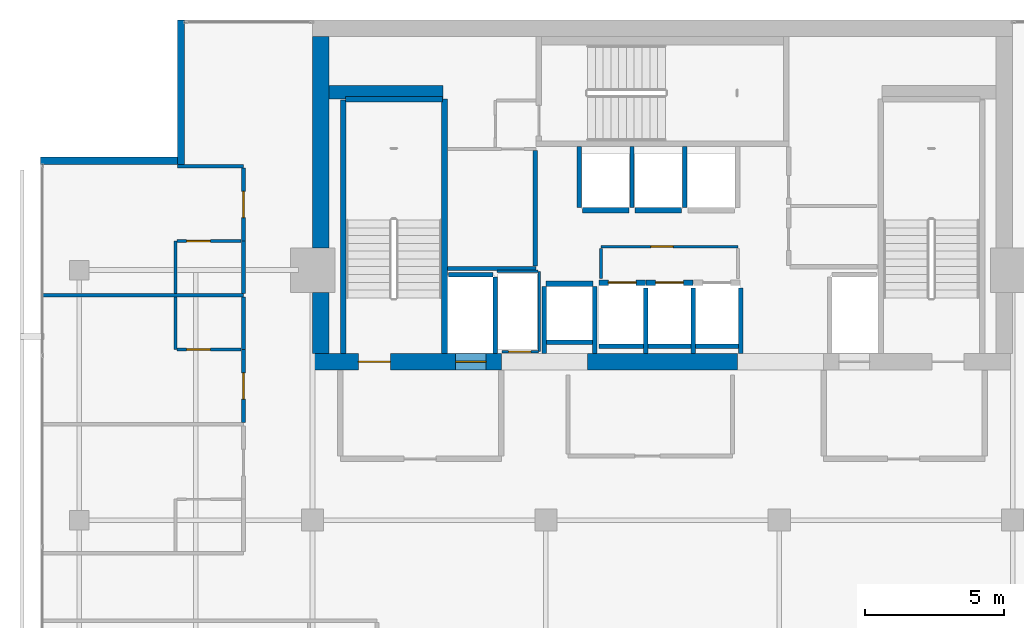
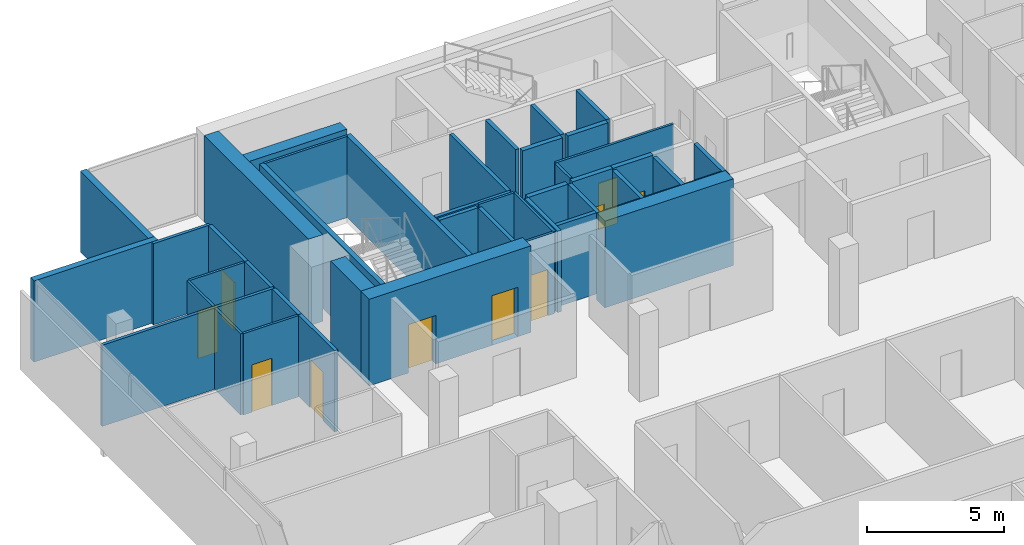
# One storey, part 22 of 26: 44 walls, 10 doors, 10 openings.
"""IFC4 building model written with IfcOpenShell, lengths in metres."""

from ifc_helpers import new_model, si_unit, direction, frame, frame_2d, origin, place, context, subcontext, project, spatial, rectangle, extrude, material, layer, layer_set, type_object, element, fill, save


model = new_model("IFC4")

# Units and contexts
model_context = context("Model", 3, precision=1e-05, world=origin(), true_north=direction((0.0, 1.0)))
body_context = subcontext(model_context, "Body", "Model", "MODEL_VIEW")
ifc_project = project(units=[si_unit("LENGTHUNIT", "METRE"), si_unit("AREAUNIT", "SQUARE_METRE"), si_unit("VOLUMEUNIT", "CUBIC_METRE"), si_unit("PLANEANGLEUNIT", "RADIAN"), si_unit("MASSUNIT", "GRAM", prefix="KILO")], contexts=[model_context])

# Site, building, storey
site_placement = place(None, origin())
site = spatial("IfcSite", under=ifc_project, at=site_placement, CompositionType="ELEMENT")
building_placement = place(site_placement, origin())
building = spatial("IfcBuilding", under=site, at=building_placement, Name="Maruvema Waterfront Hotel and Observation Tower", CompositionType="ELEMENT")
storey_placement = place(building_placement, frame((0.0, 0.0, 293.300048828125)))
storey = spatial("IfcBuildingStorey", under=building, at=storey_placement, Name="L72", CompositionType="ELEMENT", Elevation=293.300048828125)

# Walls
ifc_material_1 = material(Name="Twin-stud acoustic gypsum drywall", Category="gypsum")
ifc_layer_1 = layer(ifc_material_1, 0.14990234375, Name="Acoustic Corridor and Suite Demising Wall 150 mm")
ifc_layer_set_1 = layer_set([ifc_layer_1], Name="Twin-stud acoustic gypsum drywall")
wall_type_1 = type_object("IfcWallType", Name="Acoustic Corridor and Suite Demising Wall 150 mm", PredefinedType="PARTITIONING", material=ifc_layer_set_1)
wall_1_placement = place(storey_placement, frame((30.06005859375, 45.06005859375, 0.0), z_axis=(0.0, 0.0, 1.0), x_axis=(1.0, 0.0, 0.0)))
element("IfcWall", 1, at=wall_1_placement, inside=storey, type_object=wall_type_1, Name="L72 Freed B1 South Wall 013", PredefinedType="PARTITIONING", context=body_context, shape_type="SweptSolid", body=[
    extrude(rectangle(XDim=3.179931640625, YDim=0.14990234375, at=frame_2d((1.58984375, 0.0))), origin(), (0.0, 0.0, 1.0), 3.60986328125),
])
wall_2_placement = place(storey_placement, frame((33.219970703125, 45.139892578125, 0.0), z_axis=(0.0, 0.0, 1.0), x_axis=(0.0, 1.0, 0.0)))
element("IfcWall", 2, at=wall_2_placement, inside=storey, type_object=wall_type_1, Name="L72 Freed B1 East Wall 014", PredefinedType="PARTITIONING", context=body_context, shape_type="SweptSolid", body=[
    extrude(rectangle(XDim=4.16015625, YDim=0.14990234375, at=frame_2d((2.080078125, 0.0))), origin(), (0.0, 0.0, 1.0), 3.60986328125),
])

# Wall, opening, door
wall_3_placement = place(storey_placement, frame((22.719970703125, 39.505859375, 0.0), z_axis=(0.0, 0.0, 1.0), x_axis=(0.0, 1.0, 0.0)))
wall_3 = element("IfcWall", 3, at=wall_3_placement, inside=storey, type_object=wall_type_1, Name="L72 Room L72-NW2 Corridor Wall 101", PredefinedType="PARTITIONING", context=body_context, shape_type="SweptSolid", body=[
    extrude(rectangle(XDim=2.6357421875, YDim=0.14990234375, at=frame_2d((1.31787109375, 0.0))), origin(), (0.0, 0.0, 1.0), 3.60986328125),
])
opening_1_placement = place(wall_3_placement, frame((0.843017578125, 0.0, 0.0)))
opening_1 = element("IfcOpeningElement", 4, at=opening_1_placement, cuts=wall_3, Name="Opening DR-095", PredefinedType="OPENING", context=body_context, shape_type="SweptSolid", body=[
    extrude(rectangle(XDim=0.949951171875, YDim=2.14990234375, at=frame_2d((0.47509765625, 1.074951171875))), frame((0.0, 0.0849609375, 0.0), z_axis=(0.0, -1.0, 0.0), x_axis=(1.0, 0.0, 0.0)), (0.0, 0.0, 1.0), 0.169921875),
])
ifc_material_2 = material(Name="Acoustic solid-core hardwood timber leaf", Category="wood")
door_type_1 = type_object("IfcDoorType", Name="Guestroom Entrance Fire Door 950x2150 mm", OperationType="NOTDEFINED", PredefinedType="DOOR", material=ifc_material_2)
door_1_placement = place(opening_1_placement, origin())
door_1 = element("IfcDoor", 5, at=door_1_placement, inside=storey, type_object=door_type_1, Name="L72 Room L72-NW2 Entrance Door", OperationType="SINGLE_SWING_RIGHT", OverallHeight=2.14990234375, OverallWidth=0.949951171875, PredefinedType="DOOR", context=body_context, shape_type="SweptSolid", body=[
    extrude(rectangle(XDim=0.949951171875, YDim=2.14990234375, at=frame_2d((0.47509765625, 1.074951171875))), frame((0.0, 0.02490234375, 0.0), z_axis=(0.0, -1.0, 0.0), x_axis=(1.0, 0.0, 0.0)), (0.0, 0.0, 1.0), 0.050048828125),
])
fill(opening_1, door_1)

# Walls
for number, where, z_axis, x_axis, name in (
    (6, (22.719970703125, 42.1416015625, 0.0), (0.0, 0.0, 1.0), (0.0, 1.0, 0.0), "L72 Bath L72-NW2 Wall 102"),
    (7, (22.719970703125, 44.151611328125, 0.0), (0.0, 0.0, 1.0), (0.0, 1.0, 0.0), "L72 Bath L72-NW3 Wall 111"),
):
    element("IfcWall", number, at=place(storey_placement, frame(where, z_axis=z_axis, x_axis=x_axis)), inside=storey, type_object=wall_type_1, Name=name, PredefinedType="PARTITIONING", context=body_context, shape_type="SweptSolid", body=[
        extrude(rectangle(XDim=1.89013671875, YDim=0.14990234375, at=frame_2d((0.945068359375, 0.0))), origin(), (0.0, 0.0, 1.0), 3.60986328125),
    ])

# Wall, opening, door
wall_4_placement = place(storey_placement, frame((22.719970703125, 46.041748046875, 0.0), z_axis=(0.0, 0.0, 1.0), x_axis=(0.0, 1.0, 0.0)))
wall_4 = element("IfcWall", 8, at=wall_4_placement, inside=storey, type_object=wall_type_1, Name="L72 Room L72-NW3 Corridor Wall 112", PredefinedType="PARTITIONING", context=body_context, shape_type="SweptSolid", body=[
    extrude(rectangle(XDim=2.6357421875, YDim=0.14990234375, at=frame_2d((1.31787109375, 0.0))), origin(), (0.0, 0.0, 1.0), 3.60986328125),
])
opening_2_placement = place(wall_4_placement, frame((0.843017578125, 0.0, 0.0)))
opening_2 = element("IfcOpeningElement", 9, at=opening_2_placement, cuts=wall_4, Name="Opening DR-095", PredefinedType="OPENING", context=body_context, shape_type="SweptSolid", body=[
    extrude(rectangle(XDim=0.949951171875, YDim=2.14990234375, at=frame_2d((0.47509765625, 1.074951171875))), frame((0.0, 0.0849609375, 0.0), z_axis=(0.0, -1.0, 0.0), x_axis=(1.0, 0.0, 0.0)), (0.0, 0.0, 1.0), 0.169921875),
])
door_2_placement = place(opening_2_placement, origin())
door_2 = element("IfcDoor", 10, at=door_2_placement, inside=storey, type_object=door_type_1, Name="L72 Room L72-NW3 Entrance Door", OperationType="SINGLE_SWING_RIGHT", OverallHeight=2.14990234375, OverallWidth=0.949951171875, PredefinedType="DOOR", context=body_context, shape_type="SweptSolid", body=[
    extrude(rectangle(XDim=0.949951171875, YDim=2.14990234375, at=frame_2d((0.47509765625, 1.074951171875))), frame((0.0, 0.02490234375, 0.0), z_axis=(0.0, -1.0, 0.0), x_axis=(1.0, 0.0, 0.0)), (0.0, 0.0, 1.0), 0.050048828125),
])
fill(opening_2, door_2)

# Walls
ifc_material_3 = material(Name="Precast concrete C45/55", Category="concrete")
ifc_layer_2 = layer(ifc_material_3, 0.199951171875, Name="Core Shaft and Stairwell Enclosure Wall 200 mm")
ifc_layer_set_2 = layer_set([ifc_layer_2], Name="Precast concrete C45/55")
wall_type_2 = type_object("IfcWallType", Name="Core Shaft and Stairwell Enclosure Wall 200 mm", PredefinedType="SOLIDWALL", material=ifc_layer_set_2)
wall_5_placement = place(storey_placement, frame((29.949951171875, 42.0, 0.0), z_axis=(0.0, 0.0, 1.0), x_axis=(0.0, 1.0, 0.0)))
element("IfcWall", 11, at=wall_5_placement, inside=storey, type_object=wall_type_2, Name="L72 Stairwell ST-01 East Shaft Wall", PredefinedType="SOLIDWALL", context=body_context, shape_type="SweptSolid", body=[
    extrude(rectangle(XDim=9.14990234375, YDim=0.199951171875, at=frame_2d((4.574951171875, 0.0))), origin(), (0.0, 0.0, 1.0), 3.60986328125),
])
wall_6_placement = place(storey_placement, frame((26.300048828125, 42.0, 0.0), z_axis=(0.0, 0.0, 1.0), x_axis=(0.0, 1.0, 0.0)))
element("IfcWall", 12, at=wall_6_placement, inside=storey, type_object=wall_type_2, Name="L72 Stairwell ST-01 Shaft Lining Wall", PredefinedType="SOLIDWALL", context=body_context, shape_type="SweptSolid", body=[
    extrude(rectangle(XDim=9.1201171875, YDim=0.199951171875, at=frame_2d((4.56005859375, 0.0))), origin(), (0.0, 0.0, 1.0), 3.60986328125),
])
wall_7_placement = place(storey_placement, frame((26.3798828125, 51.14990234375, 0.0), z_axis=(0.0, 0.0, 1.0), x_axis=(1.0, 0.0, 0.0)))
element("IfcWall", 13, at=wall_7_placement, inside=storey, type_object=wall_type_2, Name="L72 Stairwell ST-01 Shaft Lining Wall", PredefinedType="SOLIDWALL", context=body_context, shape_type="SweptSolid", body=[
    extrude(rectangle(XDim=3.5, YDim=0.199951171875, at=frame_2d((1.75, 0.0))), origin(), (0.0, 0.0, 1.0), 3.60986328125),
])

# Wall, opening, door
wall_8_placement = place(storey_placement, frame((35.510009765625, 44.550048828125, 0.0), z_axis=(0.0, 0.0, 1.0), x_axis=(1.0, 0.0, 0.0)))
wall_8 = element("IfcWall", 14, at=wall_8_placement, inside=storey, type_object=wall_type_2, Name="L72 Lift LF-09 Hoistway Front Wall", PredefinedType="SOLIDWALL", context=body_context, shape_type="SweptSolid", body=[
    extrude(rectangle(XDim=1.679931640625, YDim=0.199951171875, at=frame_2d((0.83984375, 0.0))), origin(), (0.0, 0.0, 1.0), 3.60986328125),
])
opening_3_placement = place(wall_8_placement, frame((0.340087890625, 0.0, 0.0)))
opening_3 = element("IfcOpeningElement", 15, at=opening_3_placement, cuts=wall_8, Name="Opening LD-01", PredefinedType="OPENING", context=body_context, shape_type="SweptSolid", body=[
    extrude(rectangle(XDim=1.0, YDim=2.14990234375, at=frame_2d((0.5, 1.074951171875))), frame((0.0, 0.10986328125, 0.0), z_axis=(0.0, -1.0, 0.0), x_axis=(1.0, 0.0, 0.0)), (0.0, 0.0, 1.0), 0.219970703125),
])
ifc_material_4 = material(Name="Brushed stainless steel Grade 316", Category="steel")
door_type_2 = type_object("IfcDoorType", Name="Passenger Lift Sliding Landing Door 1000x2150 mm", OperationType="SLIDING_TO_LEFT", PredefinedType="DOOR", material=ifc_material_4)
door_3_placement = place(opening_3_placement, origin())
door_3 = element("IfcDoor", 16, at=door_3_placement, inside=storey, type_object=door_type_2, Name="L72 Lift LF-09 Sliding Landing Door", OperationType="SLIDING_TO_LEFT", OverallHeight=2.14990234375, OverallWidth=1.0, PredefinedType="DOOR", context=body_context, shape_type="SweptSolid", body=[
    extrude(rectangle(XDim=1.0, YDim=2.14990234375, at=frame_2d((0.5, 1.074951171875))), frame((0.0, 0.02490234375, 0.0), z_axis=(0.0, -1.0, 0.0), x_axis=(1.0, 0.0, 0.0)), (0.0, 0.0, 1.0), 0.050048828125),
])
fill(opening_3, door_3)

wall_9_placement = place(storey_placement, frame((37.2099609375, 44.550048828125, 0.0), z_axis=(0.0, 0.0, 1.0), x_axis=(1.0, 0.0, 0.0)))
wall_9 = element("IfcWall", 17, at=wall_9_placement, inside=storey, type_object=wall_type_2, Name="L72 Lift LF-10 Hoistway Front Wall", PredefinedType="SOLIDWALL", context=body_context, shape_type="SweptSolid", body=[
    extrude(rectangle(XDim=1.679931640625, YDim=0.199951171875, at=frame_2d((0.83984375, 0.0))), origin(), (0.0, 0.0, 1.0), 3.60986328125),
])
opening_4_placement = place(wall_9_placement, frame((0.340087890625, 0.0, 0.0)))
opening_4 = element("IfcOpeningElement", 18, at=opening_4_placement, cuts=wall_9, Name="Opening LD-01", PredefinedType="OPENING", context=body_context, shape_type="SweptSolid", body=[
    extrude(rectangle(XDim=1.0, YDim=2.14990234375, at=frame_2d((0.5, 1.074951171875))), frame((0.0, 0.10986328125, 0.0), z_axis=(0.0, -1.0, 0.0), x_axis=(1.0, 0.0, 0.0)), (0.0, 0.0, 1.0), 0.219970703125),
])
door_4_placement = place(opening_4_placement, origin())
door_4 = element("IfcDoor", 19, at=door_4_placement, inside=storey, type_object=door_type_2, Name="L72 Lift LF-10 Sliding Landing Door", OperationType="SLIDING_TO_LEFT", OverallHeight=2.14990234375, OverallWidth=1.0, PredefinedType="DOOR", context=body_context, shape_type="SweptSolid", body=[
    extrude(rectangle(XDim=1.0, YDim=2.14990234375, at=frame_2d((0.5, 1.074951171875))), frame((0.0, 0.02490234375, 0.0), z_axis=(0.0, -1.0, 0.0), x_axis=(1.0, 0.0, 0.0)), (0.0, 0.0, 1.0), 0.050048828125),
])
fill(opening_4, door_4)

# Walls
wall_10_placement = place(storey_placement, frame((34.909912109375, 47.14990234375, 0.0), z_axis=(0.0, 0.0, 1.0), x_axis=(1.0, 0.0, 0.0)))
element("IfcWall", 20, at=wall_10_placement, inside=storey, type_object=wall_type_2, Name="L72 Lift LF-12 Hoistway Front Wall", PredefinedType="SOLIDWALL", context=body_context, shape_type="SweptSolid", body=[
    extrude(rectangle(XDim=1.68017578125, YDim=0.199951171875, at=frame_2d((0.840087890625, 0.0))), origin(), (0.0, 0.0, 1.0), 3.60986328125),
])
for number, where, z_axis, x_axis, name in (
    (21, (36.81005859375, 47.14990234375, 0.0), (0.0, 0.0, 1.0), (1.0, 0.0, 0.0), "L72 Lift LF-13 Hoistway Front Wall"),
    (22, (33.610107421875, 44.5, 0.0), (0.0, 0.0, 1.0), (1.0, 0.0, 0.0), "L72 Lift LF-15 Hoistway Front Wall"),
):
    element("IfcWall", number, at=place(storey_placement, frame(where, z_axis=z_axis, x_axis=x_axis)), inside=storey, type_object=wall_type_2, Name=name, PredefinedType="SOLIDWALL", context=body_context, shape_type="SweptSolid", body=[
        extrude(rectangle(XDim=1.679931640625, YDim=0.199951171875, at=frame_2d((0.83984375, 0.0))), origin(), (0.0, 0.0, 1.0), 3.60986328125),
    ])
ifc_material_5 = material(Name="Concrete C70/85", Category="concrete")
ifc_layer_3 = layer(ifc_material_5, 0.5, Name="Core Shear Wall 500 mm")
ifc_layer_set_3 = layer_set([ifc_layer_3], Name="Concrete C70/85")
wall_type_3 = type_object("IfcWallType", Name="Core Shear Wall 500 mm", PredefinedType="SHEAR", material=ifc_layer_set_3)
wall_11_placement = place(storey_placement, frame((25.800048828125, 51.39990234375, 0.0), z_axis=(0.0, 0.0, 1.0), x_axis=(1.0, 0.0, 0.0)))
element("IfcWall", 23, at=wall_11_placement, inside=storey, type_object=wall_type_3, Name="L72 Internal Core Shear Wall NW 500 mm", PredefinedType="SHEAR", context=body_context, shape_type="SweptSolid", body=[
    extrude(rectangle(XDim=4.099853515625, YDim=0.5, at=frame_2d((2.0498046875, 0.0))), origin(), (0.0, 0.0, 1.0), 3.849853515625),
])

# Wall, openings, doors
ifc_material_6 = material(Name="Concrete C60/75", Category="concrete")
ifc_layer_4 = layer(ifc_material_6, 0.60009765625, Name="Core Shear Wall 600 mm")
ifc_layer_set_4 = layer_set([ifc_layer_4], Name="Concrete C60/75")
wall_type_4 = type_object("IfcWallType", Name="Core Shear Wall 600 mm", PredefinedType="SHEAR", material=ifc_layer_set_4)
wall_12_placement = place(storey_placement, frame((25.199951171875, 41.699951171875, 0.0), z_axis=(0.0, 0.0, 1.0), x_axis=(1.0, 0.0, 0.0)))
wall_12 = element("IfcWall", 24, at=wall_12_placement, inside=storey, type_object=wall_type_4, Name="L72 South-West Core Shear Wall", PredefinedType="SHEAR", context=body_context, shape_type="SweptSolid", body=[
    extrude(rectangle(XDim=6.800048828125, YDim=0.60009765625, at=frame_2d((3.39990234375, 0.0))), origin(), (0.0, 0.0, 1.0), 3.849853515625),
])
opening_5_placement = place(wall_12_placement, frame((1.64990234375, 0.0, 0.0)))
opening_5 = element("IfcOpeningElement", 25, at=opening_5_placement, cuts=wall_12, Name="Opening SD-01", PredefinedType="OPENING", context=body_context, shape_type="SweptSolid", body=[
    extrude(rectangle(XDim=1.14990234375, YDim=2.14990234375, at=frame_2d((0.574951171875, 1.074951171875))), frame((0.0, 0.31005859375, 0.0), z_axis=(0.0, -1.0, 0.0), x_axis=(1.0, 0.0, 0.0)), (0.0, 0.0, 1.0), 0.6201171875),
])
opening_6_placement = place(wall_12_placement, frame((5.14990234375, 0.0, 0.0)))
opening_6 = element("IfcOpeningElement", 26, at=opening_6_placement, cuts=wall_12, Name="Opening LD-03", PredefinedType="OPENING", context=body_context, shape_type="SweptSolid", body=[
    extrude(rectangle(XDim=1.10009765625, YDim=2.199951171875, at=frame_2d((0.550048828125, 1.10009765625))), frame((0.0, 0.31005859375, 0.0), z_axis=(0.0, -1.0, 0.0), x_axis=(1.0, 0.0, 0.0)), (0.0, 0.0, 1.0), 0.6201171875),
])
ifc_material_7 = material(Name="Fire-rated galvanised steel leaf", Category="steel")
door_type_3 = type_object("IfcDoorType", Name="Exit Stair Fire Door 1150x2150 mm", OperationType="NOTDEFINED", PredefinedType="DOOR", material=ifc_material_7)
door_5_placement = place(opening_5_placement, origin())
door_5 = element("IfcDoor", 27, at=door_5_placement, inside=storey, type_object=door_type_3, Name="L72 Exit Stair ST-01 Fire Door", OperationType="SINGLE_SWING_LEFT", OverallHeight=2.14990234375, OverallWidth=1.14990234375, PredefinedType="DOOR", context=body_context, shape_type="SweptSolid", body=[
    extrude(rectangle(XDim=1.14990234375, YDim=2.14990234375, at=frame_2d((0.574951171875, 1.074951171875))), frame((0.0, 0.02490234375, 0.0), z_axis=(0.0, -1.0, 0.0), x_axis=(1.0, 0.0, 0.0)), (0.0, 0.0, 1.0), 0.050048828125),
])
fill(opening_5, door_5)
ifc_material_8 = material(Name="Brushed stainless steel Grade 316", Category="steel")
door_type_4 = type_object("IfcDoorType", Name="Firefighting Lift Sliding Landing Door 1100x2200 mm", OperationType="SLIDING_TO_LEFT", PredefinedType="DOOR", material=ifc_material_8)
door_6_placement = place(opening_6_placement, frame((1.10009765625, 0.0, 0.0), z_axis=(0.0, 0.0, 1.0), x_axis=(-1.0, 0.0, 0.0)))
door_6 = element("IfcDoor", 28, at=door_6_placement, inside=storey, type_object=door_type_4, Name="L72 Firefighting Lift FL-01 Landing Door", OperationType="SLIDING_TO_LEFT", OverallHeight=2.199951171875, OverallWidth=1.10009765625, PredefinedType="DOOR", context=body_context, shape_type="SweptSolid", body=[
    extrude(rectangle(XDim=1.10009765625, YDim=2.199951171875, at=frame_2d((0.550048828125, 1.10009765625))), frame((0.0, 0.02490234375, 0.0), z_axis=(0.0, -1.0, 0.0), x_axis=(1.0, 0.0, 0.0)), (0.0, 0.0, 1.0), 0.050048828125),
])
fill(opening_6, door_6)

# Walls
wall_13_placement = place(storey_placement, frame((35.10009765625, 41.699951171875, 0.0), z_axis=(0.0, 0.0, 1.0), x_axis=(1.0, 0.0, 0.0)))
element("IfcWall", 29, at=wall_13_placement, inside=storey, type_object=wall_type_4, Name="L72 South-Central Core Shear Wall", PredefinedType="SHEAR", context=body_context, shape_type="SweptSolid", body=[
    extrude(rectangle(XDim=5.39990234375, YDim=0.60009765625, at=frame_2d((2.699951171875, 0.0))), origin(), (0.0, 0.0, 1.0), 3.849853515625),
])
wall_14_placement = place(storey_placement, frame((25.5, 42.0, 0.0), z_axis=(0.0, 0.0, 1.0), x_axis=(0.0, 1.0, 0.0)))
element("IfcWall", 30, at=wall_14_placement, inside=storey, type_object=wall_type_4, Name="L72 West-South Core Shear Wall", PredefinedType="SHEAR", context=body_context, shape_type="SweptSolid", body=[
    extrude(rectangle(XDim=2.199951171875, YDim=0.60009765625, at=frame_2d((1.10009765625, 0.0))), origin(), (0.0, 0.0, 1.0), 3.849853515625),
])
wall_15_placement = place(storey_placement, frame((25.5, 45.800048828125, 0.0), z_axis=(0.0, 0.0, 1.0), x_axis=(0.0, 1.0, 0.0)))
element("IfcWall", 31, at=wall_15_placement, inside=storey, type_object=wall_type_4, Name="L72 West-North Core Shear Wall", PredefinedType="SHEAR", context=body_context, shape_type="SweptSolid", body=[
    extrude(rectangle(XDim=7.599853515625, YDim=0.60009765625, at=frame_2d((3.7998046875, 0.0))), origin(), (0.0, 0.0, 1.0), 3.849853515625),
])

# Wall, opening, door
ifc_material_9 = material(Name="Moisture-resistant cement-board drywall", Category="gypsum")
ifc_layer_5 = layer(ifc_material_9, 0.10009765625, Name="En-Suite Moisture-Resistant Partition 100 mm")
ifc_layer_set_5 = layer_set([ifc_layer_5], Name="Moisture-resistant cement-board drywall")
wall_type_5 = type_object("IfcWallType", Name="En-Suite Moisture-Resistant Partition 100 mm", PredefinedType="PARTITIONING", material=ifc_layer_set_5)
wall_16_placement = place(storey_placement, frame((32.02001953125, 42.06005859375, 0.0), z_axis=(0.0, 0.0, 1.0), x_axis=(1.0, 0.0, 0.0)))
wall_16 = element("IfcWall", 32, at=wall_16_placement, inside=storey, type_object=wall_type_5, Name="L72 Telecom Riser South Wall 007", PredefinedType="PARTITIONING", context=body_context, shape_type="SweptSolid", body=[
    extrude(rectangle(XDim=1.320068359375, YDim=0.10009765625, at=frame_2d((0.66015625, 0.0))), origin(), (0.0, 0.0, 1.0), 3.60986328125),
])
opening_7_placement = place(wall_16_placement, frame((0.239990234375, 0.0, 0.0)))
opening_7 = element("IfcOpeningElement", 33, at=opening_7_placement, cuts=wall_16, Name="Opening DR-080", PredefinedType="OPENING", context=body_context, shape_type="SweptSolid", body=[
    extrude(rectangle(XDim=0.800048828125, YDim=2.050048828125, at=frame_2d((0.39990234375, 1.02490234375))), frame((0.0, 0.06005859375, 0.0), z_axis=(0.0, -1.0, 0.0), x_axis=(1.0, 0.0, 0.0)), (0.0, 0.0, 1.0), 0.1201171875),
])
ifc_material_10 = material(Name="Powder-coated steel access leaf", Category="steel")
door_type_5 = type_object("IfcDoorType", Name="Riser and Service Cupboard Door 800x2050 mm", OperationType="NOTDEFINED", PredefinedType="DOOR", material=ifc_material_10)
door_7_placement = place(opening_7_placement, frame((0.800048828125, 0.0, 0.0), z_axis=(0.0, 0.0, 1.0), x_axis=(-1.0, 0.0, 0.0)))
door_7 = element("IfcDoor", 34, at=door_7_placement, inside=storey, type_object=door_type_5, Name="L72 Telecom Riser Door", OperationType="SINGLE_SWING_RIGHT", OverallHeight=2.050048828125, OverallWidth=0.800048828125, PredefinedType="DOOR", context=body_context, shape_type="SweptSolid", body=[
    extrude(rectangle(XDim=0.800048828125, YDim=2.050048828125, at=frame_2d((0.39990234375, 1.02490234375))), frame((0.0, 0.02490234375, 0.0), z_axis=(0.0, -1.0, 0.0), x_axis=(1.0, 0.0, 0.0)), (0.0, 0.0, 1.0), 0.050048828125),
])
fill(opening_7, door_7)

# Walls
wall_17_placement = place(storey_placement, frame((31.840087890625, 44.9599609375, 0.0), z_axis=(0.0, 0.0, 1.0), x_axis=(1.0, 0.0, 0.0)))
element("IfcWall", 35, at=wall_17_placement, inside=storey, type_object=wall_type_5, Name="L72 Telecom Riser North Wall 008", PredefinedType="PARTITIONING", context=body_context, shape_type="SweptSolid", body=[
    extrude(rectangle(XDim=1.47998046875, YDim=0.10009765625, at=frame_2d((0.739990234375, 0.0))), origin(), (0.0, 0.0, 1.0), 3.60986328125),
])
wall_18_placement = place(storey_placement, frame((33.360107421875, 42.06005859375, 0.0), z_axis=(0.0, 0.0, 1.0), x_axis=(0.0, 1.0, 0.0)))
element("IfcWall", 36, at=wall_18_placement, inside=storey, type_object=wall_type_5, Name="L72 Telecom Riser East Wall 009", PredefinedType="PARTITIONING", context=body_context, shape_type="SweptSolid", body=[
    extrude(rectangle(XDim=2.8798828125, YDim=0.10009765625, at=frame_2d((1.43994140625, 0.0))), origin(), (0.0, 0.0, 1.0), 3.60986328125),
])

# Wall, opening, door
wall_19_placement = place(storey_placement, frame((35.580078125, 45.840087890625, 0.0), z_axis=(0.0, 0.0, 1.0), x_axis=(1.0, 0.0, 0.0)))
wall_19 = element("IfcWall", 37, at=wall_19_placement, inside=storey, type_object=wall_type_5, Name="L72 Core Closet K0 North 010", PredefinedType="PARTITIONING", context=body_context, shape_type="SweptSolid", body=[
    extrude(rectangle(XDim=4.93994140625, YDim=0.10009765625, at=frame_2d((2.469970703125, 0.0))), origin(), (0.0, 0.0, 1.0), 3.60986328125),
])
opening_8_placement = place(wall_19_placement, frame((1.800048828125, 0.0, 0.0)))
opening_8 = element("IfcOpeningElement", 38, at=opening_8_placement, cuts=wall_19, Name="Opening DR-080", PredefinedType="OPENING", context=body_context, shape_type="SweptSolid", body=[
    extrude(rectangle(XDim=0.800048828125, YDim=2.050048828125, at=frame_2d((0.39990234375, 1.02490234375))), frame((0.0, 0.06005859375, 0.0), z_axis=(0.0, -1.0, 0.0), x_axis=(1.0, 0.0, 0.0)), (0.0, 0.0, 1.0), 0.1201171875),
])
door_8_placement = place(opening_8_placement, origin())
door_8 = element("IfcDoor", 39, at=door_8_placement, inside=storey, type_object=door_type_5, Name="L72 Core Electrical Closet Door", OperationType="SINGLE_SWING_LEFT", OverallHeight=2.050048828125, OverallWidth=0.800048828125, PredefinedType="DOOR", context=body_context, shape_type="SweptSolid", body=[
    extrude(rectangle(XDim=0.800048828125, YDim=2.050048828125, at=frame_2d((0.39990234375, 1.02490234375))), frame((0.0, 0.02490234375, 0.0), z_axis=(0.0, -1.0, 0.0), x_axis=(1.0, 0.0, 0.0)), (0.0, 0.0, 1.0), 0.050048828125),
])
fill(opening_8, door_8)

# Walls
wall_20_placement = place(storey_placement, frame((35.580078125, 44.699951171875, 0.0), z_axis=(0.0, 0.0, 1.0), x_axis=(0.0, 1.0, 0.0)))
element("IfcWall", 40, at=wall_20_placement, inside=storey, type_object=wall_type_5, Name="L72 Core Closet K0 West 011", PredefinedType="PARTITIONING", context=body_context, shape_type="SweptSolid", body=[
    extrude(rectangle(XDim=1.080078125, YDim=0.10009765625, at=frame_2d((0.5400390625, 0.0))), origin(), (0.0, 0.0, 1.0), 3.60986328125),
])
wall_21_placement = place(storey_placement, frame((20.27001953125, 42.1416015625, 0.0), z_axis=(0.0, 0.0, 1.0), x_axis=(0.0, 1.0, 0.0)))
element("IfcWall", 41, at=wall_21_placement, inside=storey, type_object=wall_type_5, Name="L72 En-Suite L72-NW2 W 103", PredefinedType="PARTITIONING", context=body_context, shape_type="SweptSolid", body=[
    extrude(rectangle(XDim=1.89013671875, YDim=0.10009765625, at=frame_2d((0.945068359375, 0.0))), origin(), (0.0, 0.0, 1.0), 3.60986328125),
])

# Wall, opening, door
wall_22_placement = place(storey_placement, frame((20.320068359375, 42.1416015625, 0.0), z_axis=(0.0, 0.0, 1.0), x_axis=(1.0, 0.0, 0.0)))
wall_22 = element("IfcWall", 42, at=wall_22_placement, inside=storey, type_object=wall_type_5, Name="L72 En-Suite L72-NW2 S 104", PredefinedType="PARTITIONING", context=body_context, shape_type="SweptSolid", body=[
    extrude(rectangle(XDim=2.300048828125, YDim=0.10009765625, at=frame_2d((1.14990234375, 0.0))), origin(), (0.0, 0.0, 1.0), 3.60986328125),
])
opening_9_placement = place(wall_22_placement, frame((0.35009765625, 0.0, 0.0)))
opening_9 = element("IfcOpeningElement", 43, at=opening_9_placement, cuts=wall_22, Name="Opening DR-085", PredefinedType="OPENING", context=body_context, shape_type="SweptSolid", body=[
    extrude(rectangle(XDim=0.85009765625, YDim=2.10009765625, at=frame_2d((0.425048828125, 1.050048828125))), frame((0.0, 0.06005859375, 0.0), z_axis=(0.0, -1.0, 0.0), x_axis=(1.0, 0.0, 0.0)), (0.0, 0.0, 1.0), 0.1201171875),
])
ifc_material_11 = material(Name="Moisture-resistant solid timber leaf", Category="wood")
door_type_6 = type_object("IfcDoorType", Name="En-Suite Bathroom Door 850x2100 mm", OperationType="NOTDEFINED", PredefinedType="DOOR", material=ifc_material_11)
door_9_placement = place(opening_9_placement, frame((0.85009765625, 0.0, 0.0), z_axis=(0.0, 0.0, 1.0), x_axis=(-1.0, 0.0, 0.0)))
door_9 = element("IfcDoor", 44, at=door_9_placement, inside=storey, type_object=door_type_6, Name="L72 En-Suite L72-NW2 Door", OperationType="SINGLE_SWING_LEFT", OverallHeight=2.10009765625, OverallWidth=0.85009765625, PredefinedType="DOOR", context=body_context, shape_type="SweptSolid", body=[
    extrude(rectangle(XDim=0.85009765625, YDim=2.10009765625, at=frame_2d((0.425048828125, 1.050048828125))), frame((0.0, 0.02490234375, 0.0), z_axis=(0.0, -1.0, 0.0), x_axis=(1.0, 0.0, 0.0)), (0.0, 0.0, 1.0), 0.050048828125),
])
fill(opening_9, door_9)

# Wall
wall_23_placement = place(storey_placement, frame((20.27001953125, 44.151611328125, 0.0), z_axis=(0.0, 0.0, 1.0), x_axis=(0.0, 1.0, 0.0)))
element("IfcWall", 45, at=wall_23_placement, inside=storey, type_object=wall_type_5, Name="L72 En-Suite L72-NW3 W 113", PredefinedType="PARTITIONING", context=body_context, shape_type="SweptSolid", body=[
    extrude(rectangle(XDim=1.89013671875, YDim=0.10009765625, at=frame_2d((0.945068359375, 0.0))), origin(), (0.0, 0.0, 1.0), 3.60986328125),
])

# Wall, opening, door
wall_24_placement = place(storey_placement, frame((20.320068359375, 46.041748046875, 0.0), z_axis=(0.0, 0.0, 1.0), x_axis=(1.0, 0.0, 0.0)))
wall_24 = element("IfcWall", 46, at=wall_24_placement, inside=storey, type_object=wall_type_5, Name="L72 En-Suite L72-NW3 N 114", PredefinedType="PARTITIONING", context=body_context, shape_type="SweptSolid", body=[
    extrude(rectangle(XDim=2.300048828125, YDim=0.10009765625, at=frame_2d((1.14990234375, 0.0))), origin(), (0.0, 0.0, 1.0), 3.60986328125),
])
opening_10_placement = place(wall_24_placement, frame((0.35009765625, 0.0, 0.0)))
opening_10 = element("IfcOpeningElement", 47, at=opening_10_placement, cuts=wall_24, Name="Opening DR-085", PredefinedType="OPENING", context=body_context, shape_type="SweptSolid", body=[
    extrude(rectangle(XDim=0.85009765625, YDim=2.10009765625, at=frame_2d((0.425048828125, 1.050048828125))), frame((0.0, 0.06005859375, 0.0), z_axis=(0.0, -1.0, 0.0), x_axis=(1.0, 0.0, 0.0)), (0.0, 0.0, 1.0), 0.1201171875),
])
door_10_placement = place(opening_10_placement, origin())
door_10 = element("IfcDoor", 48, at=door_10_placement, inside=storey, type_object=door_type_6, Name="L72 En-Suite L72-NW3 Door", OperationType="SINGLE_SWING_LEFT", OverallHeight=2.10009765625, OverallWidth=0.85009765625, PredefinedType="DOOR", context=body_context, shape_type="SweptSolid", body=[
    extrude(rectangle(XDim=0.85009765625, YDim=2.10009765625, at=frame_2d((0.425048828125, 1.050048828125))), frame((0.0, 0.02490234375, 0.0), z_axis=(0.0, -1.0, 0.0), x_axis=(1.0, 0.0, 0.0)), (0.0, 0.0, 1.0), 0.050048828125),
])
fill(opening_10, door_10)

# Walls
ifc_material_12 = material(Name="Precast concrete C45/55 with honed Pernambuco granite facing", Category="masonry")
ifc_layer_6 = layer(ifc_material_12, 0.260009765625, Name="Exterior Granite Clad Spandrel and Pier Wall 260 mm")
ifc_layer_set_6 = layer_set([ifc_layer_6], Name="Precast concrete C45/55 with honed Pernambuco granite facing")
wall_type_6 = type_object("IfcWallType", Name="Exterior Granite Clad Spandrel and Pier Wall 260 mm", PredefinedType="SOLIDWALL", material=ifc_layer_set_6)
wall_25_placement = place(storey_placement, frame((20.469970703125, 48.800048828125, 0.0), z_axis=(0.0, 0.0, 1.0), x_axis=(0.0, 1.0, 0.0)))
element("IfcWall", 49, at=wall_25_placement, inside=storey, type_object=wall_type_6, Name="L72 Corner Notch Granite Pier Wall NW1", PredefinedType="SOLIDWALL", context=body_context, shape_type="SweptSolid", body=[
    extrude(rectangle(XDim=5.199951171875, YDim=0.260009765625, at=frame_2d((2.60009765625, 0.0))), origin(), (0.0, 0.0, 1.0), 3.60986328125),
])
wall_26_placement = place(storey_placement, frame((15.39990234375, 48.929931640625, 0.0), z_axis=(0.0, 0.0, 1.0), x_axis=(1.0, 0.0, 0.0)))
element("IfcWall", 50, at=wall_26_placement, inside=storey, type_object=wall_type_6, Name="L72 Corner Notch Granite Pier Wall NW2", PredefinedType="SOLIDWALL", context=body_context, shape_type="SweptSolid", body=[
    extrude(rectangle(XDim=5.2001953125, YDim=0.260009765625, at=frame_2d((2.60009765625, 0.0))), origin(), (0.0, 0.0, 1.0), 3.60986328125),
])
ifc_material_13 = material(Name="Acoustic gypsum plasterboard drywall", Category="gypsum")
ifc_layer_7 = layer(ifc_material_13, 0.125, Name="Guestroom Acoustic Demising Wall 125 mm")
ifc_layer_set_7 = layer_set([ifc_layer_7], Name="Acoustic gypsum plasterboard drywall")
wall_type_7 = type_object("IfcWallType", Name="Guestroom Acoustic Demising Wall 125 mm", PredefinedType="PARTITIONING", material=ifc_layer_set_7)
wall_27_placement = place(storey_placement, frame((20.340087890625, 48.737548828125, 0.0), z_axis=(0.0, 0.0, 1.0), x_axis=(1.0, 0.0, 0.0)))
element("IfcWall", 51, at=wall_27_placement, inside=storey, type_object=wall_type_7, Name="L72 Z3 NW Top End 089", PredefinedType="PARTITIONING", context=body_context, shape_type="SweptSolid", body=[
    extrude(rectangle(XDim=2.3798828125, YDim=0.125, at=frame_2d((1.18994140625, 0.0))), origin(), (0.0, 0.0, 1.0), 3.60986328125),
])
wall_28_placement = place(storey_placement, frame((15.5, 44.091796875, 0.0), z_axis=(0.0, 0.0, 1.0), x_axis=(1.0, 0.0, 0.0)))
element("IfcWall", 52, at=wall_28_placement, inside=storey, type_object=wall_type_7, Name="L72 Z3 NW Demising 3 109", PredefinedType="PARTITIONING", context=body_context, shape_type="SweptSolid", body=[
    extrude(rectangle(XDim=7.219970703125, YDim=0.125, at=frame_2d((3.60986328125, 0.0))), origin(), (0.0, 0.0, 1.0), 3.60986328125),
])
ifc_material_14 = material(Name="Precast concrete C45/55", Category="concrete")
ifc_layer_8 = layer(ifc_material_14, 0.159912109375, Name="Lift Hoistway Divider Wall 160 mm")
ifc_layer_set_8 = layer_set([ifc_layer_8], Name="Precast concrete C45/55")
wall_type_8 = type_object("IfcWallType", Name="Lift Hoistway Divider Wall 160 mm", PredefinedType="SOLIDWALL", material=ifc_layer_set_8)
wall_29_placement = place(storey_placement, frame((30.10009765625, 44.830078125, 0.0), z_axis=(0.0, 0.0, 1.0), x_axis=(1.0, 0.0, 0.0)))
element("IfcWall", 53, at=wall_29_placement, inside=storey, type_object=wall_type_8, Name="L72 Lift FL-01 Rear Hoistway Wall", PredefinedType="SOLIDWALL", context=body_context, shape_type="SweptSolid", body=[
    extrude(rectangle(XDim=1.599853515625, YDim=0.159912109375, at=frame_2d((0.7998046875, 0.0))), origin(), (0.0, 0.0, 1.0), 3.60986328125),
])
wall_30_placement = place(storey_placement, frame((31.780029296875, 42.0, 0.0), z_axis=(0.0, 0.0, 1.0), x_axis=(0.0, 1.0, 0.0)))
element("IfcWall", 54, at=wall_30_placement, inside=storey, type_object=wall_type_8, Name="L72 Lift FL-01 Inner Hoistway Wall", PredefinedType="SOLIDWALL", context=body_context, shape_type="SweptSolid", body=[
    extrude(rectangle(XDim=2.739990234375, YDim=0.159912109375, at=frame_2d((1.3701171875, 0.0))), origin(), (0.0, 0.0, 1.0), 3.60986328125),
])
for number, where, z_axis, x_axis, name in (
    (55, (37.199951171875, 42.0, 0.0), (0.0, 0.0, 1.0), (0.0, 1.0, 0.0), "L72 Hoistway Divider Wall"),
    (56, (38.89990234375, 42.0, 0.0), (0.0, 0.0, 1.0), (0.0, 1.0, 0.0), "L72 Hoistway Divider Wall"),
    (57, (40.6201171875, 42.0, 0.0), (0.0, 0.0, 1.0), (0.0, 1.0, 0.0), "L72 Hoistway Divider Wall"),
):
    element("IfcWall", number, at=place(storey_placement, frame(where, z_axis=z_axis, x_axis=x_axis)), inside=storey, type_object=wall_type_8, Name=name, PredefinedType="SOLIDWALL", context=body_context, shape_type="SweptSolid", body=[
        extrude(rectangle(XDim=2.35009765625, YDim=0.159912109375, at=frame_2d((1.175048828125, 0.0))), origin(), (0.0, 0.0, 1.0), 3.60986328125),
    ])
wall_31_placement = place(storey_placement, frame((35.52001953125, 42.260009765625, 0.0), z_axis=(0.0, 0.0, 1.0), x_axis=(1.0, 0.0, 0.0)))
element("IfcWall", 58, at=wall_31_placement, inside=storey, type_object=wall_type_8, Name="L72 Hoistway Divider Wall", PredefinedType="SOLIDWALL", context=body_context, shape_type="SweptSolid", body=[
    extrude(rectangle(XDim=5.02001953125, YDim=0.159912109375, at=frame_2d((2.510009765625, 0.0))), origin(), (0.0, 0.0, 1.0), 3.60986328125),
])
for number, where, z_axis, x_axis, name in (
    (59, (34.800048828125, 47.25, 0.0), (0.0, 0.0, 1.0), (0.0, 1.0, 0.0), "L72 Hoistway Divider Wall"),
    (60, (36.699951171875, 47.25, 0.0), (0.0, 0.0, 1.0), (0.0, 1.0, 0.0), "L72 Hoistway Divider Wall"),
    (61, (38.60009765625, 47.25, 0.0), (0.0, 0.0, 1.0), (0.0, 1.0, 0.0), "L72 Hoistway Divider Wall"),
):
    element("IfcWall", number, at=place(storey_placement, frame(where, z_axis=z_axis, x_axis=x_axis)), inside=storey, type_object=wall_type_8, Name=name, PredefinedType="SOLIDWALL", context=body_context, shape_type="SweptSolid", body=[
        extrude(rectangle(XDim=2.18994140625, YDim=0.159912109375, at=frame_2d((1.094970703125, 0.0))), origin(), (0.0, 0.0, 1.0), 3.60986328125),
    ])
for number, where, z_axis, x_axis, name in (
    (62, (33.5400390625, 42.0, 0.0), (0.0, 0.0, 1.0), (0.0, 1.0, 0.0), "L72 Hoistway Divider Wall"),
    (63, (35.360107421875, 42.0, 0.0), (0.0, 0.0, 1.0), (0.0, 1.0, 0.0), "L72 Hoistway Divider Wall"),
):
    element("IfcWall", number, at=place(storey_placement, frame(where, z_axis=z_axis, x_axis=x_axis)), inside=storey, type_object=wall_type_8, Name=name, PredefinedType="SOLIDWALL", context=body_context, shape_type="SweptSolid", body=[
        extrude(rectangle(XDim=2.39990234375, YDim=0.159912109375, at=frame_2d((1.199951171875, 0.0))), origin(), (0.0, 0.0, 1.0), 3.60986328125),
    ])
wall_32_placement = place(storey_placement, frame((33.6201171875, 42.39990234375, 0.0), z_axis=(0.0, 0.0, 1.0), x_axis=(1.0, 0.0, 0.0)))
element("IfcWall", 64, at=wall_32_placement, inside=storey, type_object=wall_type_8, Name="L72 Hoistway Divider Wall", PredefinedType="SOLIDWALL", context=body_context, shape_type="SweptSolid", body=[
    extrude(rectangle(XDim=1.659912109375, YDim=0.159912109375, at=frame_2d((0.830078125, 0.0))), origin(), (0.0, 0.0, 1.0), 3.60986328125),
])

save(model, "model.ifc")
